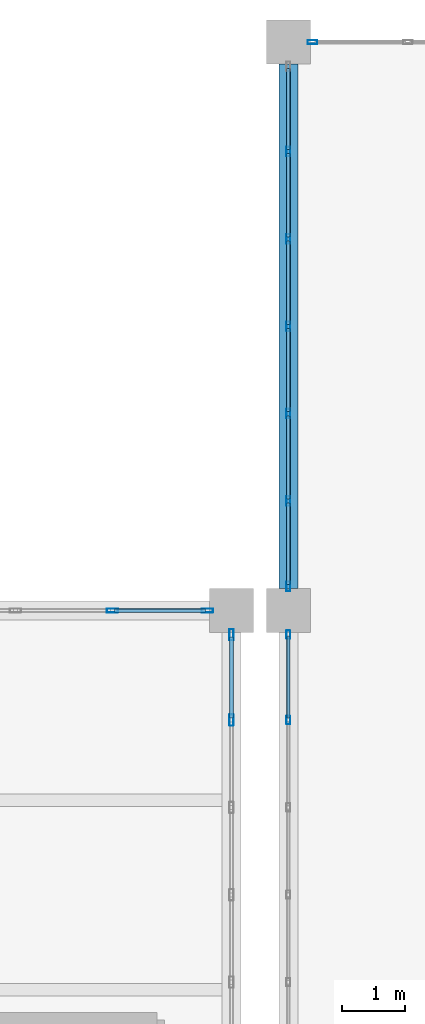
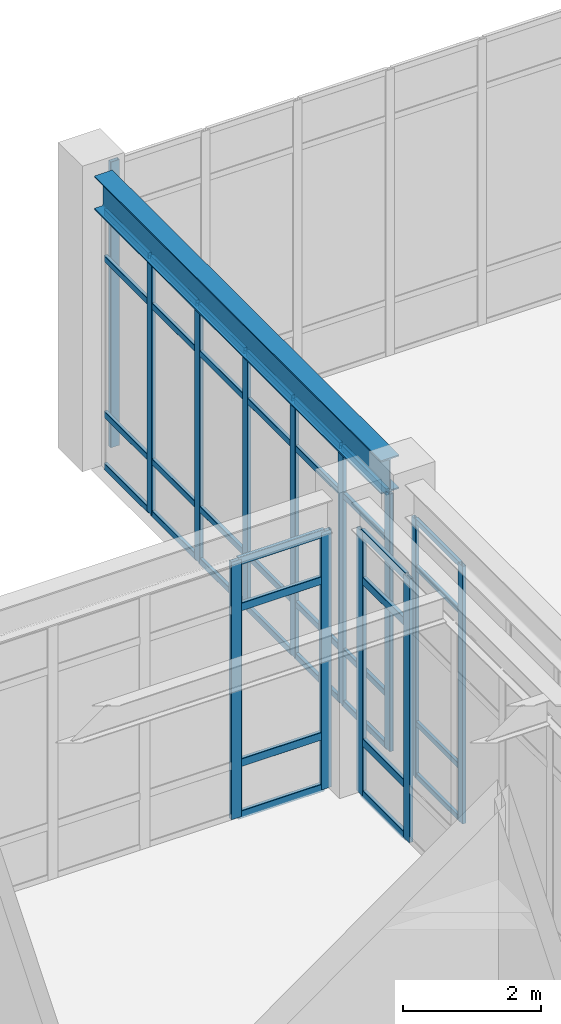
# One storey, part 45 of 80: 49 members, 1 beam, 5 elements without a shape of their own.
"""IFC4 building model written with IfcOpenShell, lengths in metres."""

from ifc_helpers import new_model, si_unit, direction, frame, origin, origin_2d, place, context, subcontext, project, spatial, hollow_rectangle, i_section, extrude, material, material_profile, profile_set, type_object, element, aggregate, save


model = new_model("IFC4")

# Units and contexts
model_context = context("Model", 3, precision=1e-05, world=origin(), true_north=direction((0.0, 1.0)))
body_context = subcontext(model_context, "Body", "Model", "MODEL_VIEW")
ifc_project = project(units=[si_unit("LENGTHUNIT", "METRE"), si_unit("AREAUNIT", "SQUARE_METRE"), si_unit("VOLUMEUNIT", "CUBIC_METRE"), si_unit("PLANEANGLEUNIT", "RADIAN"), si_unit("MASSUNIT", "GRAM", prefix="KILO")], contexts=[model_context])

# Site, building, storey
site_placement = place(None, origin())
site = spatial("IfcSite", under=ifc_project, at=site_placement, CompositionType="ELEMENT")
building_placement = place(site_placement, origin())
building = spatial("IfcBuilding", under=site, at=building_placement, Name="Canglan Escarpment Cableway Terminal", CompositionType="ELEMENT")
storey_placement = place(building_placement, frame((0.0, 0.0, 19.199951171875)))
storey = spatial("IfcBuildingStorey", under=building, at=storey_placement, Name="L04", CompositionType="ELEMENT", Elevation=19.199951171875)

# Beam
ifc_material_1 = material(Name="Steel Q355C", Category="steel")
ifc_material_profile_1 = material_profile(ifc_material_1, i_section(OverallWidth=0.302001953125, OverallDepth=0.593994140625, WebThickness=0.013916015625, FlangeThickness=0.02294921875, FilletRadius=0.028076171875, at=origin_2d()), Name="HM 594x302x14x23")
ifc_profile_set_1 = profile_set([ifc_material_profile_1], Name="Steel Q355C")
beam_type = type_object("IfcBeamType", Name="BM-HM594", PredefinedType="BEAM", material=ifc_profile_set_1)
beam_placement = place(storey_placement, frame((137.60009765625, 115.35009765625, 4.863037109375), z_axis=(0.0, 1.0, 0.0), x_axis=(-1.0, 0.0, 0.0)))
element("IfcBeam", 1, at=beam_placement, inside=storey, type_object=beam_type, Name="Primary transverse girder B-07", PredefinedType="BEAM", context=body_context, shape_type="SweptSolid", body=[
    extrude(i_section(OverallWidth=0.302001953125, OverallDepth=0.593994140625, WebThickness=0.013916015625, FlangeThickness=0.02294921875, FilletRadius=0.028076171875, at=origin_2d()), origin(), (0.0, 0.0, 1.0), 8.2998046875),
])

# Curtain wall, members
ifc_material_2 = material(Name="Anodized bronze aluminium and Low-E double glazing", Category="aluminium")
curtain_wall_type_1 = type_object("IfcCurtainWallType", Name="CW-BAY-8300x4550", PredefinedType="NOTDEFINED", material=ifc_material_2)
curtain_wall_1_placement = place(storey_placement, origin())
curtain_wall_1 = element("IfcCurtainWall", 2, at=curtain_wall_1_placement, inside=storey, type_object=curtain_wall_type_1, Name="Classical bay-between-piers glazed curtain wall CW-64", PredefinedType="NOTDEFINED")
ifc_material_3 = material(Name="Thermally broken anodized aluminium 6063-T6", Category="aluminium")
ifc_material_profile_2 = material_profile(ifc_material_3, hollow_rectangle(XDim=0.06005859375, YDim=0.1298828125, WallThickness=0.0029296875, InnerFilletRadius=0.0029296875, OuterFilletRadius=0.006103515625, at=origin_2d()), Name="ALU-MULL 60x130x3")
ifc_profile_set_2 = profile_set([ifc_material_profile_2], Name="Thermally broken anodized aluminium 6063-T6")
member_type_1 = type_object("IfcMemberType", Name="CWM-01", PredefinedType="MULLION", material=ifc_profile_set_2)
member_1_placement = place(storey_placement, frame((137.60009765625, 114.6201171875, 0.0), z_axis=(0.0, 0.0, 1.0), x_axis=(1.0, 0.0, 0.0)))
member_1 = element("IfcMember", 3, at=member_1_placement, type_object=member_type_1, Name="CW-64 mullion 1", PredefinedType="MULLION", context=body_context, shape_type="SweptSolid", body=[
    extrude(hollow_rectangle(XDim=0.06005859375, YDim=0.1298828125, WallThickness=0.0029296875, InnerFilletRadius=0.0029296875, OuterFilletRadius=0.006103515625, at=origin_2d()), origin(), (0.0, 0.0, 1.0), 4.551025390625),
])
member_2_placement = place(storey_placement, frame((137.60009765625, 113.2666015625, 0.0), z_axis=(0.0, 0.0, 1.0), x_axis=(1.0, 0.0, 0.0)))
member_2 = element("IfcMember", 4, at=member_2_placement, type_object=member_type_1, Name="CW-64 mullion 2", PredefinedType="MULLION", context=body_context, shape_type="SweptSolid", body=[
    extrude(hollow_rectangle(XDim=0.06005859375, YDim=0.1298828125, WallThickness=0.0029296875, InnerFilletRadius=0.0029296875, OuterFilletRadius=0.006103515625, at=origin_2d()), origin(), (0.0, 0.0, 1.0), 4.551025390625),
])

# Curtain wall, member
curtain_wall_type_2 = type_object("IfcCurtainWallType", Name="CW-BAY-9250x5050", PredefinedType="NOTDEFINED", material=ifc_material_2)
curtain_wall_2_placement = place(storey_placement, origin())
curtain_wall_2 = element("IfcCurtainWall", 5, at=curtain_wall_2_placement, inside=storey, type_object=curtain_wall_type_2, Name="Classical bay-between-piers glazed curtain wall CW-40", PredefinedType="NOTDEFINED")
ifc_material_profile_3 = material_profile(ifc_material_3, hollow_rectangle(XDim=0.06494140625, YDim=0.14990234375, WallThickness=0.00341796875, InnerFilletRadius=0.00341796875, OuterFilletRadius=0.007080078125, at=origin_2d()), Name="ALU-MULL 65x150x3.5")
ifc_profile_set_3 = profile_set([ifc_material_profile_3], Name="Thermally broken anodized aluminium 6063-T6")
member_type_2 = type_object("IfcMemberType", Name="CWM-02", PredefinedType="MULLION", material=ifc_profile_set_3)
member_3_placement = place(storey_placement, frame((137.982421875, 124.0, 0.0), z_axis=(0.0, 0.0, 1.0), x_axis=(0.0, -1.0, 0.0)))
member_3 = element("IfcMember", 6, at=member_3_placement, type_object=member_type_2, Name="CW-40 mullion 7", PredefinedType="MULLION", context=body_context, shape_type="SweptSolid", body=[
    extrude(hollow_rectangle(XDim=0.06494140625, YDim=0.14990234375, WallThickness=0.00341796875, InnerFilletRadius=0.00341796875, OuterFilletRadius=0.007080078125, at=origin_2d()), origin(), (0.0, 0.0, 1.0), 5.050048828125),
])
aggregate(curtain_wall_2, [member_3])

# Curtain wall, members
curtain_wall_3_placement = place(storey_placement, origin())
curtain_wall_3 = element("IfcCurtainWall", 7, at=curtain_wall_3_placement, inside=storey, type_object=curtain_wall_type_1, Name="Classical bay-between-piers glazed curtain wall CW-64", PredefinedType="NOTDEFINED")
member_4_placement = place(storey_placement, frame((137.60009765625, 122.2666015625, 0.0), z_axis=(0.0, 0.0, 1.0), x_axis=(1.0, 0.0, 0.0)))
member_4 = element("IfcMember", 8, at=member_4_placement, type_object=member_type_2, Name="CW-64 mullion 2", PredefinedType="MULLION", context=body_context, shape_type="SweptSolid", body=[
    extrude(hollow_rectangle(XDim=0.06494140625, YDim=0.14990234375, WallThickness=0.00341796875, InnerFilletRadius=0.00341796875, OuterFilletRadius=0.007080078125, at=origin_2d()), origin(), (0.0, 0.0, 1.0), 4.551025390625),
])
member_5_placement = place(storey_placement, frame((137.60009765625, 120.88330078125, 0.0), z_axis=(0.0, 0.0, 1.0), x_axis=(1.0, 0.0, 0.0)))
member_5 = element("IfcMember", 9, at=member_5_placement, type_object=member_type_2, Name="CW-64 mullion 3", PredefinedType="MULLION", context=body_context, shape_type="SweptSolid", body=[
    extrude(hollow_rectangle(XDim=0.06494140625, YDim=0.14990234375, WallThickness=0.00341796875, InnerFilletRadius=0.00341796875, OuterFilletRadius=0.007080078125, at=origin_2d()), origin(), (0.0, 0.0, 1.0), 4.551025390625),
])
member_6_placement = place(storey_placement, frame((137.60009765625, 119.5, 0.0), z_axis=(0.0, 0.0, 1.0), x_axis=(1.0, 0.0, 0.0)))
member_6 = element("IfcMember", 10, at=member_6_placement, type_object=member_type_2, Name="CW-64 mullion 4", PredefinedType="MULLION", context=body_context, shape_type="SweptSolid", body=[
    extrude(hollow_rectangle(XDim=0.06494140625, YDim=0.14990234375, WallThickness=0.00341796875, InnerFilletRadius=0.00341796875, OuterFilletRadius=0.007080078125, at=origin_2d()), origin(), (0.0, 0.0, 1.0), 4.551025390625),
])
member_7_placement = place(storey_placement, frame((137.60009765625, 118.11669921875, 0.0), z_axis=(0.0, 0.0, 1.0), x_axis=(1.0, 0.0, 0.0)))
member_7 = element("IfcMember", 11, at=member_7_placement, type_object=member_type_2, Name="CW-64 mullion 5", PredefinedType="MULLION", context=body_context, shape_type="SweptSolid", body=[
    extrude(hollow_rectangle(XDim=0.06494140625, YDim=0.14990234375, WallThickness=0.00341796875, InnerFilletRadius=0.00341796875, OuterFilletRadius=0.007080078125, at=origin_2d()), origin(), (0.0, 0.0, 1.0), 4.551025390625),
])
member_8_placement = place(storey_placement, frame((137.60009765625, 116.7333984375, 0.0), z_axis=(0.0, 0.0, 1.0), x_axis=(1.0, 0.0, 0.0)))
member_8 = element("IfcMember", 12, at=member_8_placement, type_object=member_type_2, Name="CW-64 mullion 6", PredefinedType="MULLION", context=body_context, shape_type="SweptSolid", body=[
    extrude(hollow_rectangle(XDim=0.06494140625, YDim=0.14990234375, WallThickness=0.00341796875, InnerFilletRadius=0.00341796875, OuterFilletRadius=0.007080078125, at=origin_2d()), origin(), (0.0, 0.0, 1.0), 4.551025390625),
])
member_9_placement = place(storey_placement, frame((137.60009765625, 115.382568359375, 0.0), z_axis=(0.0, 0.0, 1.0), x_axis=(1.0, 0.0, 0.0)))
member_9 = element("IfcMember", 13, at=member_9_placement, type_object=member_type_2, Name="CW-64 mullion 7", PredefinedType="MULLION", context=body_context, shape_type="SweptSolid", body=[
    extrude(hollow_rectangle(XDim=0.06494140625, YDim=0.14990234375, WallThickness=0.00341796875, InnerFilletRadius=0.00341796875, OuterFilletRadius=0.007080078125, at=origin_2d()), origin(), (0.0, 0.0, 1.0), 4.551025390625),
])

curtain_wall_type_3 = type_object("IfcCurtainWallType", Name="CW-BAY-8300x4650", PredefinedType="NOTDEFINED", material=ifc_material_2)
curtain_wall_4_placement = place(storey_placement, origin())
curtain_wall_4 = element("IfcCurtainWall", 14, at=curtain_wall_4_placement, inside=storey, type_object=curtain_wall_type_3, Name="Classical bay-between-piers glazed curtain wall CW-51", PredefinedType="NOTDEFINED")
ifc_material_profile_4 = material_profile(ifc_material_3, hollow_rectangle(XDim=0.06494140625, YDim=0.179931640625, WallThickness=0.00390625, InnerFilletRadius=0.00390625, OuterFilletRadius=0.008056640625, at=origin_2d()), Name="ALU-MULL 65x180x4")
ifc_profile_set_4 = profile_set([ifc_material_profile_4], Name="Thermally broken anodized aluminium 6063-T6")
member_type_3 = type_object("IfcMemberType", Name="CWM-03", PredefinedType="MULLION", material=ifc_profile_set_4)
member_10_placement = place(storey_placement, frame((136.699951171875, 113.2666015625, 0.0), z_axis=(0.0, 0.0, 1.0), x_axis=(-1.0, 0.0, 0.0)))
member_10 = element("IfcMember", 15, at=member_10_placement, type_object=member_type_3, Name="CW-51 mullion 6", PredefinedType="MULLION", context=body_context, shape_type="SweptSolid", body=[
    extrude(hollow_rectangle(XDim=0.06494140625, YDim=0.179931640625, WallThickness=0.00390625, InnerFilletRadius=0.00390625, OuterFilletRadius=0.008056640625, at=origin_2d()), origin(), (0.0, 0.0, 1.0), 4.656982421875),
])
member_11_placement = place(storey_placement, frame((136.699951171875, 114.617431640625, 0.0), z_axis=(0.0, 0.0, 1.0), x_axis=(-1.0, 0.0, 0.0)))
member_11 = element("IfcMember", 16, at=member_11_placement, type_object=member_type_3, Name="CW-51 mullion 7", PredefinedType="MULLION", context=body_context, shape_type="SweptSolid", body=[
    extrude(hollow_rectangle(XDim=0.06494140625, YDim=0.179931640625, WallThickness=0.00390625, InnerFilletRadius=0.00390625, OuterFilletRadius=0.008056640625, at=origin_2d()), origin(), (0.0, 0.0, 1.0), 4.656982421875),
])

curtain_wall_type_4 = type_object("IfcCurtainWallType", Name="CW-BAY-7675x4550", PredefinedType="NOTDEFINED", material=ifc_material_2)
curtain_wall_5_placement = place(storey_placement, origin())
curtain_wall_5 = element("IfcCurtainWall", 17, at=curtain_wall_5_placement, inside=storey, type_object=curtain_wall_type_4, Name="Classical bay-between-piers glazed curtain wall CW-54", PredefinedType="NOTDEFINED")
member_12_placement = place(storey_placement, frame((136.3173828125, 115.0, 0.0), z_axis=(0.0, 0.0, 1.0), x_axis=(0.0, -1.0, 0.0)))
member_12 = element("IfcMember", 18, at=member_12_placement, type_object=member_type_3, Name="CW-54 mullion 1", PredefinedType="MULLION", context=body_context, shape_type="SweptSolid", body=[
    extrude(hollow_rectangle(XDim=0.06494140625, YDim=0.179931640625, WallThickness=0.00390625, InnerFilletRadius=0.00390625, OuterFilletRadius=0.008056640625, at=origin_2d()), origin(), (0.0, 0.0, 1.0), 4.551025390625),
])
member_13_placement = place(storey_placement, frame((134.81494140625, 115.0, 0.0), z_axis=(0.0, 0.0, 1.0), x_axis=(0.0, -1.0, 0.0)))
member_13 = element("IfcMember", 19, at=member_13_placement, type_object=member_type_3, Name="CW-54 mullion 2", PredefinedType="MULLION", context=body_context, shape_type="SweptSolid", body=[
    extrude(hollow_rectangle(XDim=0.06494140625, YDim=0.179931640625, WallThickness=0.00390625, InnerFilletRadius=0.00390625, OuterFilletRadius=0.008056640625, at=origin_2d()), origin(), (0.0, 0.0, 1.0), 4.551025390625),
])

# Member
ifc_material_profile_5 = material_profile(ifc_material_3, hollow_rectangle(XDim=0.054931640625, YDim=0.094970703125, WallThickness=0.0029296875, InnerFilletRadius=0.0029296875, OuterFilletRadius=0.006103515625, at=origin_2d()), Name="ALU-TRAN 55x95x3")
ifc_profile_set_5 = profile_set([ifc_material_profile_5], Name="Thermally broken anodized aluminium 6063-T6")
member_type_4 = type_object("IfcMemberType", Name="CWT-01", PredefinedType="USERDEFINED", material=ifc_profile_set_5)
member_14_placement = place(storey_placement, frame((137.60009765625, 114.590087890625, 0.027587890625), z_axis=(0.0, -1.0, 0.0), x_axis=(1.0, 0.0, 0.0)))
member_14 = element("IfcMember", 20, at=member_14_placement, type_object=member_type_4, Name="CW-64 transom 1.1", ObjectType="TRANSOM", PredefinedType="USERDEFINED", context=body_context, shape_type="SweptSolid", body=[
    extrude(hollow_rectangle(XDim=0.054931640625, YDim=0.094970703125, WallThickness=0.0029296875, InnerFilletRadius=0.0029296875, OuterFilletRadius=0.006103515625, at=origin_2d()), origin(), (0.0, 0.0, 1.0), 1.29345703125),
])

member_15_placement = place(storey_placement, frame((137.60009765625, 114.590087890625, 0.949951171875), z_axis=(0.0, -1.0, 0.0), x_axis=(1.0, 0.0, 0.0)))
member_15 = element("IfcMember", 21, at=member_15_placement, type_object=member_type_4, Name="CW-64 transom 1.2", ObjectType="TRANSOM", PredefinedType="USERDEFINED", context=body_context, shape_type="SweptSolid", body=[
    extrude(hollow_rectangle(XDim=0.054931640625, YDim=0.094970703125, WallThickness=0.0029296875, InnerFilletRadius=0.0029296875, OuterFilletRadius=0.006103515625, at=origin_2d()), origin(), (0.0, 0.0, 1.0), 1.29345703125),
])

member_16_placement = place(storey_placement, frame((137.60009765625, 114.590087890625, 3.700927734375), z_axis=(0.0, -1.0, 0.0), x_axis=(1.0, 0.0, 0.0)))
member_16 = element("IfcMember", 22, at=member_16_placement, type_object=member_type_4, Name="CW-64 transom 1.3", ObjectType="TRANSOM", PredefinedType="USERDEFINED", context=body_context, shape_type="SweptSolid", body=[
    extrude(hollow_rectangle(XDim=0.054931640625, YDim=0.094970703125, WallThickness=0.0029296875, InnerFilletRadius=0.0029296875, OuterFilletRadius=0.006103515625, at=origin_2d()), origin(), (0.0, 0.0, 1.0), 1.29345703125),
])

member_17_placement = place(storey_placement, frame((137.60009765625, 114.590087890625, 4.5234375), z_axis=(0.0, -1.0, 0.0), x_axis=(1.0, 0.0, 0.0)))
member_17 = element("IfcMember", 23, at=member_17_placement, type_object=member_type_4, Name="CW-64 transom 1.4", ObjectType="TRANSOM", PredefinedType="USERDEFINED", context=body_context, shape_type="SweptSolid", body=[
    extrude(hollow_rectangle(XDim=0.054931640625, YDim=0.094970703125, WallThickness=0.0029296875, InnerFilletRadius=0.0029296875, OuterFilletRadius=0.006103515625, at=origin_2d()), origin(), (0.0, 0.0, 1.0), 1.29345703125),
])

aggregate(curtain_wall_1, [member_1, member_2, member_14, member_15, member_16, member_17])

ifc_material_profile_6 = material_profile(ifc_material_3, hollow_rectangle(XDim=0.06005859375, YDim=0.110107421875, WallThickness=0.0029296875, InnerFilletRadius=0.0029296875, OuterFilletRadius=0.006103515625, at=origin_2d()), Name="ALU-TRAN 60x110x3")
ifc_profile_set_6 = profile_set([ifc_material_profile_6], Name="Thermally broken anodized aluminium 6063-T6")
member_type_5 = type_object("IfcMemberType", Name="CWT-02", PredefinedType="USERDEFINED", material=ifc_profile_set_6)
member_18_placement = place(storey_placement, frame((137.60009765625, 123.5849609375, 0.030029296875), z_axis=(0.0, -1.0, 0.0), x_axis=(1.0, 0.0, 0.0)))
member_18 = element("IfcMember", 24, at=member_18_placement, type_object=member_type_5, Name="CW-64 transom 1.1", ObjectType="TRANSOM", PredefinedType="USERDEFINED", context=body_context, shape_type="SweptSolid", body=[
    extrude(hollow_rectangle(XDim=0.06005859375, YDim=0.110107421875, WallThickness=0.0029296875, InnerFilletRadius=0.0029296875, OuterFilletRadius=0.006103515625, at=origin_2d()), origin(), (0.0, 0.0, 1.0), 1.285888671875),
])

member_19_placement = place(storey_placement, frame((137.60009765625, 123.5849609375, 0.949951171875), z_axis=(0.0, -1.0, 0.0), x_axis=(1.0, 0.0, 0.0)))
member_19 = element("IfcMember", 25, at=member_19_placement, type_object=member_type_5, Name="CW-64 transom 1.2", ObjectType="TRANSOM", PredefinedType="USERDEFINED", context=body_context, shape_type="SweptSolid", body=[
    extrude(hollow_rectangle(XDim=0.06005859375, YDim=0.110107421875, WallThickness=0.0029296875, InnerFilletRadius=0.0029296875, OuterFilletRadius=0.006103515625, at=origin_2d()), origin(), (0.0, 0.0, 1.0), 1.285888671875),
])

member_20_placement = place(storey_placement, frame((137.60009765625, 123.5849609375, 3.700927734375), z_axis=(0.0, -1.0, 0.0), x_axis=(1.0, 0.0, 0.0)))
member_20 = element("IfcMember", 26, at=member_20_placement, type_object=member_type_5, Name="CW-64 transom 1.3", ObjectType="TRANSOM", PredefinedType="USERDEFINED", context=body_context, shape_type="SweptSolid", body=[
    extrude(hollow_rectangle(XDim=0.06005859375, YDim=0.110107421875, WallThickness=0.0029296875, InnerFilletRadius=0.0029296875, OuterFilletRadius=0.006103515625, at=origin_2d()), origin(), (0.0, 0.0, 1.0), 1.285888671875),
])

member_21_placement = place(storey_placement, frame((137.60009765625, 123.5849609375, 4.52099609375), z_axis=(0.0, -1.0, 0.0), x_axis=(1.0, 0.0, 0.0)))
member_21 = element("IfcMember", 27, at=member_21_placement, type_object=member_type_5, Name="CW-64 transom 1.4", ObjectType="TRANSOM", PredefinedType="USERDEFINED", context=body_context, shape_type="SweptSolid", body=[
    extrude(hollow_rectangle(XDim=0.06005859375, YDim=0.110107421875, WallThickness=0.0029296875, InnerFilletRadius=0.0029296875, OuterFilletRadius=0.006103515625, at=origin_2d()), origin(), (0.0, 0.0, 1.0), 1.285888671875),
])

member_22_placement = place(storey_placement, frame((137.60009765625, 122.234130859375, 0.030029296875), z_axis=(0.0, -1.0, 0.0), x_axis=(1.0, 0.0, 0.0)))
member_22 = element("IfcMember", 28, at=member_22_placement, type_object=member_type_5, Name="CW-64 transom 2.1", ObjectType="TRANSOM", PredefinedType="USERDEFINED", context=body_context, shape_type="SweptSolid", body=[
    extrude(hollow_rectangle(XDim=0.06005859375, YDim=0.110107421875, WallThickness=0.0029296875, InnerFilletRadius=0.0029296875, OuterFilletRadius=0.006103515625, at=origin_2d()), origin(), (0.0, 0.0, 1.0), 1.318359375),
])

member_23_placement = place(storey_placement, frame((137.60009765625, 122.234130859375, 0.949951171875), z_axis=(0.0, -1.0, 0.0), x_axis=(1.0, 0.0, 0.0)))
member_23 = element("IfcMember", 29, at=member_23_placement, type_object=member_type_5, Name="CW-64 transom 2.2", ObjectType="TRANSOM", PredefinedType="USERDEFINED", context=body_context, shape_type="SweptSolid", body=[
    extrude(hollow_rectangle(XDim=0.06005859375, YDim=0.110107421875, WallThickness=0.0029296875, InnerFilletRadius=0.0029296875, OuterFilletRadius=0.006103515625, at=origin_2d()), origin(), (0.0, 0.0, 1.0), 1.318359375),
])

member_24_placement = place(storey_placement, frame((137.60009765625, 122.234130859375, 3.700927734375), z_axis=(0.0, -1.0, 0.0), x_axis=(1.0, 0.0, 0.0)))
member_24 = element("IfcMember", 30, at=member_24_placement, type_object=member_type_5, Name="CW-64 transom 2.3", ObjectType="TRANSOM", PredefinedType="USERDEFINED", context=body_context, shape_type="SweptSolid", body=[
    extrude(hollow_rectangle(XDim=0.06005859375, YDim=0.110107421875, WallThickness=0.0029296875, InnerFilletRadius=0.0029296875, OuterFilletRadius=0.006103515625, at=origin_2d()), origin(), (0.0, 0.0, 1.0), 1.318359375),
])

member_25_placement = place(storey_placement, frame((137.60009765625, 122.234130859375, 4.52099609375), z_axis=(0.0, -1.0, 0.0), x_axis=(1.0, 0.0, 0.0)))
member_25 = element("IfcMember", 31, at=member_25_placement, type_object=member_type_5, Name="CW-64 transom 2.4", ObjectType="TRANSOM", PredefinedType="USERDEFINED", context=body_context, shape_type="SweptSolid", body=[
    extrude(hollow_rectangle(XDim=0.06005859375, YDim=0.110107421875, WallThickness=0.0029296875, InnerFilletRadius=0.0029296875, OuterFilletRadius=0.006103515625, at=origin_2d()), origin(), (0.0, 0.0, 1.0), 1.318359375),
])

member_26_placement = place(storey_placement, frame((137.60009765625, 120.850830078125, 0.030029296875), z_axis=(0.0, -1.0, 0.0), x_axis=(1.0, 0.0, 0.0)))
member_26 = element("IfcMember", 32, at=member_26_placement, type_object=member_type_5, Name="CW-64 transom 3.1", ObjectType="TRANSOM", PredefinedType="USERDEFINED", context=body_context, shape_type="SweptSolid", body=[
    extrude(hollow_rectangle(XDim=0.06005859375, YDim=0.110107421875, WallThickness=0.0029296875, InnerFilletRadius=0.0029296875, OuterFilletRadius=0.006103515625, at=origin_2d()), origin(), (0.0, 0.0, 1.0), 1.318359375),
])

member_27_placement = place(storey_placement, frame((137.60009765625, 120.850830078125, 0.949951171875), z_axis=(0.0, -1.0, 0.0), x_axis=(1.0, 0.0, 0.0)))
member_27 = element("IfcMember", 33, at=member_27_placement, type_object=member_type_5, Name="CW-64 transom 3.2", ObjectType="TRANSOM", PredefinedType="USERDEFINED", context=body_context, shape_type="SweptSolid", body=[
    extrude(hollow_rectangle(XDim=0.06005859375, YDim=0.110107421875, WallThickness=0.0029296875, InnerFilletRadius=0.0029296875, OuterFilletRadius=0.006103515625, at=origin_2d()), origin(), (0.0, 0.0, 1.0), 1.318359375),
])

member_28_placement = place(storey_placement, frame((137.60009765625, 120.850830078125, 3.700927734375), z_axis=(0.0, -1.0, 0.0), x_axis=(1.0, 0.0, 0.0)))
member_28 = element("IfcMember", 34, at=member_28_placement, type_object=member_type_5, Name="CW-64 transom 3.3", ObjectType="TRANSOM", PredefinedType="USERDEFINED", context=body_context, shape_type="SweptSolid", body=[
    extrude(hollow_rectangle(XDim=0.06005859375, YDim=0.110107421875, WallThickness=0.0029296875, InnerFilletRadius=0.0029296875, OuterFilletRadius=0.006103515625, at=origin_2d()), origin(), (0.0, 0.0, 1.0), 1.318359375),
])

member_29_placement = place(storey_placement, frame((137.60009765625, 120.850830078125, 4.52099609375), z_axis=(0.0, -1.0, 0.0), x_axis=(1.0, 0.0, 0.0)))
member_29 = element("IfcMember", 35, at=member_29_placement, type_object=member_type_5, Name="CW-64 transom 3.4", ObjectType="TRANSOM", PredefinedType="USERDEFINED", context=body_context, shape_type="SweptSolid", body=[
    extrude(hollow_rectangle(XDim=0.06005859375, YDim=0.110107421875, WallThickness=0.0029296875, InnerFilletRadius=0.0029296875, OuterFilletRadius=0.006103515625, at=origin_2d()), origin(), (0.0, 0.0, 1.0), 1.318359375),
])

member_30_placement = place(storey_placement, frame((137.60009765625, 119.467529296875, 0.030029296875), z_axis=(0.0, -1.0, 0.0), x_axis=(1.0, 0.0, 0.0)))
member_30 = element("IfcMember", 36, at=member_30_placement, type_object=member_type_5, Name="CW-64 transom 4.1", ObjectType="TRANSOM", PredefinedType="USERDEFINED", context=body_context, shape_type="SweptSolid", body=[
    extrude(hollow_rectangle(XDim=0.06005859375, YDim=0.110107421875, WallThickness=0.0029296875, InnerFilletRadius=0.0029296875, OuterFilletRadius=0.006103515625, at=origin_2d()), origin(), (0.0, 0.0, 1.0), 1.318359375),
])

member_31_placement = place(storey_placement, frame((137.60009765625, 119.467529296875, 0.949951171875), z_axis=(0.0, -1.0, 0.0), x_axis=(1.0, 0.0, 0.0)))
member_31 = element("IfcMember", 37, at=member_31_placement, type_object=member_type_5, Name="CW-64 transom 4.2", ObjectType="TRANSOM", PredefinedType="USERDEFINED", context=body_context, shape_type="SweptSolid", body=[
    extrude(hollow_rectangle(XDim=0.06005859375, YDim=0.110107421875, WallThickness=0.0029296875, InnerFilletRadius=0.0029296875, OuterFilletRadius=0.006103515625, at=origin_2d()), origin(), (0.0, 0.0, 1.0), 1.318359375),
])

member_32_placement = place(storey_placement, frame((137.60009765625, 119.467529296875, 3.700927734375), z_axis=(0.0, -1.0, 0.0), x_axis=(1.0, 0.0, 0.0)))
member_32 = element("IfcMember", 38, at=member_32_placement, type_object=member_type_5, Name="CW-64 transom 4.3", ObjectType="TRANSOM", PredefinedType="USERDEFINED", context=body_context, shape_type="SweptSolid", body=[
    extrude(hollow_rectangle(XDim=0.06005859375, YDim=0.110107421875, WallThickness=0.0029296875, InnerFilletRadius=0.0029296875, OuterFilletRadius=0.006103515625, at=origin_2d()), origin(), (0.0, 0.0, 1.0), 1.318359375),
])

member_33_placement = place(storey_placement, frame((137.60009765625, 119.467529296875, 4.52099609375), z_axis=(0.0, -1.0, 0.0), x_axis=(1.0, 0.0, 0.0)))
member_33 = element("IfcMember", 39, at=member_33_placement, type_object=member_type_5, Name="CW-64 transom 4.4", ObjectType="TRANSOM", PredefinedType="USERDEFINED", context=body_context, shape_type="SweptSolid", body=[
    extrude(hollow_rectangle(XDim=0.06005859375, YDim=0.110107421875, WallThickness=0.0029296875, InnerFilletRadius=0.0029296875, OuterFilletRadius=0.006103515625, at=origin_2d()), origin(), (0.0, 0.0, 1.0), 1.318359375),
])

member_34_placement = place(storey_placement, frame((137.60009765625, 118.084228515625, 0.030029296875), z_axis=(0.0, -1.0, 0.0), x_axis=(1.0, 0.0, 0.0)))
member_34 = element("IfcMember", 40, at=member_34_placement, type_object=member_type_5, Name="CW-64 transom 5.1", ObjectType="TRANSOM", PredefinedType="USERDEFINED", context=body_context, shape_type="SweptSolid", body=[
    extrude(hollow_rectangle(XDim=0.06005859375, YDim=0.110107421875, WallThickness=0.0029296875, InnerFilletRadius=0.0029296875, OuterFilletRadius=0.006103515625, at=origin_2d()), origin(), (0.0, 0.0, 1.0), 1.318359375),
])

member_35_placement = place(storey_placement, frame((137.60009765625, 118.084228515625, 0.949951171875), z_axis=(0.0, -1.0, 0.0), x_axis=(1.0, 0.0, 0.0)))
member_35 = element("IfcMember", 41, at=member_35_placement, type_object=member_type_5, Name="CW-64 transom 5.2", ObjectType="TRANSOM", PredefinedType="USERDEFINED", context=body_context, shape_type="SweptSolid", body=[
    extrude(hollow_rectangle(XDim=0.06005859375, YDim=0.110107421875, WallThickness=0.0029296875, InnerFilletRadius=0.0029296875, OuterFilletRadius=0.006103515625, at=origin_2d()), origin(), (0.0, 0.0, 1.0), 1.318359375),
])

member_36_placement = place(storey_placement, frame((137.60009765625, 118.084228515625, 3.700927734375), z_axis=(0.0, -1.0, 0.0), x_axis=(1.0, 0.0, 0.0)))
member_36 = element("IfcMember", 42, at=member_36_placement, type_object=member_type_5, Name="CW-64 transom 5.3", ObjectType="TRANSOM", PredefinedType="USERDEFINED", context=body_context, shape_type="SweptSolid", body=[
    extrude(hollow_rectangle(XDim=0.06005859375, YDim=0.110107421875, WallThickness=0.0029296875, InnerFilletRadius=0.0029296875, OuterFilletRadius=0.006103515625, at=origin_2d()), origin(), (0.0, 0.0, 1.0), 1.318359375),
])

member_37_placement = place(storey_placement, frame((137.60009765625, 118.084228515625, 4.52099609375), z_axis=(0.0, -1.0, 0.0), x_axis=(1.0, 0.0, 0.0)))
member_37 = element("IfcMember", 43, at=member_37_placement, type_object=member_type_5, Name="CW-64 transom 5.4", ObjectType="TRANSOM", PredefinedType="USERDEFINED", context=body_context, shape_type="SweptSolid", body=[
    extrude(hollow_rectangle(XDim=0.06005859375, YDim=0.110107421875, WallThickness=0.0029296875, InnerFilletRadius=0.0029296875, OuterFilletRadius=0.006103515625, at=origin_2d()), origin(), (0.0, 0.0, 1.0), 1.318359375),
])

member_38_placement = place(storey_placement, frame((137.60009765625, 116.700927734375, 0.030029296875), z_axis=(0.0, -1.0, 0.0), x_axis=(1.0, 0.0, 0.0)))
member_38 = element("IfcMember", 44, at=member_38_placement, type_object=member_type_5, Name="CW-64 transom 6.1", ObjectType="TRANSOM", PredefinedType="USERDEFINED", context=body_context, shape_type="SweptSolid", body=[
    extrude(hollow_rectangle(XDim=0.06005859375, YDim=0.110107421875, WallThickness=0.0029296875, InnerFilletRadius=0.0029296875, OuterFilletRadius=0.006103515625, at=origin_2d()), origin(), (0.0, 0.0, 1.0), 1.285888671875),
])

member_39_placement = place(storey_placement, frame((137.60009765625, 116.700927734375, 0.949951171875), z_axis=(0.0, -1.0, 0.0), x_axis=(1.0, 0.0, 0.0)))
member_39 = element("IfcMember", 45, at=member_39_placement, type_object=member_type_5, Name="CW-64 transom 6.2", ObjectType="TRANSOM", PredefinedType="USERDEFINED", context=body_context, shape_type="SweptSolid", body=[
    extrude(hollow_rectangle(XDim=0.06005859375, YDim=0.110107421875, WallThickness=0.0029296875, InnerFilletRadius=0.0029296875, OuterFilletRadius=0.006103515625, at=origin_2d()), origin(), (0.0, 0.0, 1.0), 1.285888671875),
])

member_40_placement = place(storey_placement, frame((137.60009765625, 116.700927734375, 3.700927734375), z_axis=(0.0, -1.0, 0.0), x_axis=(1.0, 0.0, 0.0)))
member_40 = element("IfcMember", 46, at=member_40_placement, type_object=member_type_5, Name="CW-64 transom 6.3", ObjectType="TRANSOM", PredefinedType="USERDEFINED", context=body_context, shape_type="SweptSolid", body=[
    extrude(hollow_rectangle(XDim=0.06005859375, YDim=0.110107421875, WallThickness=0.0029296875, InnerFilletRadius=0.0029296875, OuterFilletRadius=0.006103515625, at=origin_2d()), origin(), (0.0, 0.0, 1.0), 1.285888671875),
])

member_41_placement = place(storey_placement, frame((137.60009765625, 116.700927734375, 4.52099609375), z_axis=(0.0, -1.0, 0.0), x_axis=(1.0, 0.0, 0.0)))
member_41 = element("IfcMember", 47, at=member_41_placement, type_object=member_type_5, Name="CW-64 transom 6.4", ObjectType="TRANSOM", PredefinedType="USERDEFINED", context=body_context, shape_type="SweptSolid", body=[
    extrude(hollow_rectangle(XDim=0.06005859375, YDim=0.110107421875, WallThickness=0.0029296875, InnerFilletRadius=0.0029296875, OuterFilletRadius=0.006103515625, at=origin_2d()), origin(), (0.0, 0.0, 1.0), 1.285888671875),
])

aggregate(curtain_wall_3, [member_4, member_5, member_6, member_7, member_8, member_9, member_18, member_19, member_20, member_21, member_22, member_23, member_24, member_25, member_26, member_27, member_28, member_29, member_30, member_31, member_32, member_33, member_34, member_35, member_36, member_37, member_38, member_39, member_40, member_41])

ifc_material_profile_7 = material_profile(ifc_material_3, hollow_rectangle(XDim=0.06494140625, YDim=0.139892578125, WallThickness=0.00341796875, InnerFilletRadius=0.00341796875, OuterFilletRadius=0.007080078125, at=origin_2d()), Name="ALU-TRAN 65x140x3.5")
ifc_profile_set_7 = profile_set([ifc_material_profile_7], Name="Thermally broken anodized aluminium 6063-T6")
member_type_6 = type_object("IfcMemberType", Name="CWT-03", PredefinedType="USERDEFINED", material=ifc_profile_set_7)
member_42_placement = place(storey_placement, frame((136.699951171875, 113.299072265625, 0.032470703125), z_axis=(0.0, 1.0, 0.0), x_axis=(-1.0, 0.0, 0.0)))
member_42 = element("IfcMember", 48, at=member_42_placement, type_object=member_type_6, Name="CW-51 transom 6.1", ObjectType="TRANSOM", PredefinedType="USERDEFINED", context=body_context, shape_type="SweptSolid", body=[
    extrude(hollow_rectangle(XDim=0.06494140625, YDim=0.139892578125, WallThickness=0.00341796875, InnerFilletRadius=0.00341796875, OuterFilletRadius=0.007080078125, at=origin_2d()), origin(), (0.0, 0.0, 1.0), 1.285888671875),
])

member_43_placement = place(storey_placement, frame((136.699951171875, 113.299072265625, 0.949951171875), z_axis=(0.0, 1.0, 0.0), x_axis=(-1.0, 0.0, 0.0)))
member_43 = element("IfcMember", 49, at=member_43_placement, type_object=member_type_6, Name="CW-51 transom 6.2", ObjectType="TRANSOM", PredefinedType="USERDEFINED", context=body_context, shape_type="SweptSolid", body=[
    extrude(hollow_rectangle(XDim=0.06494140625, YDim=0.139892578125, WallThickness=0.00341796875, InnerFilletRadius=0.00341796875, OuterFilletRadius=0.007080078125, at=origin_2d()), origin(), (0.0, 0.0, 1.0), 1.285888671875),
])

member_44_placement = place(storey_placement, frame((136.699951171875, 113.299072265625, 3.80712890625), z_axis=(0.0, 1.0, 0.0), x_axis=(-1.0, 0.0, 0.0)))
member_44 = element("IfcMember", 50, at=member_44_placement, type_object=member_type_6, Name="CW-51 transom 6.3", ObjectType="TRANSOM", PredefinedType="USERDEFINED", context=body_context, shape_type="SweptSolid", body=[
    extrude(hollow_rectangle(XDim=0.06494140625, YDim=0.139892578125, WallThickness=0.00341796875, InnerFilletRadius=0.00341796875, OuterFilletRadius=0.007080078125, at=origin_2d()), origin(), (0.0, 0.0, 1.0), 1.285888671875),
])

member_45_placement = place(storey_placement, frame((136.699951171875, 113.299072265625, 4.62451171875), z_axis=(0.0, 1.0, 0.0), x_axis=(-1.0, 0.0, 0.0)))
member_45 = element("IfcMember", 51, at=member_45_placement, type_object=member_type_6, Name="CW-51 transom 6.4", ObjectType="TRANSOM", PredefinedType="USERDEFINED", context=body_context, shape_type="SweptSolid", body=[
    extrude(hollow_rectangle(XDim=0.06494140625, YDim=0.139892578125, WallThickness=0.00341796875, InnerFilletRadius=0.00341796875, OuterFilletRadius=0.007080078125, at=origin_2d()), origin(), (0.0, 0.0, 1.0), 1.285888671875),
])

aggregate(curtain_wall_4, [member_10, member_11, member_42, member_43, member_44, member_45])

member_46_placement = place(storey_placement, frame((136.284912109375, 115.0, 0.032470703125), z_axis=(-1.0, 0.0, 0.0), x_axis=(0.0, -1.0, 0.0)))
member_46 = element("IfcMember", 52, at=member_46_placement, type_object=member_type_6, Name="CW-54 transom 1.1", ObjectType="TRANSOM", PredefinedType="USERDEFINED", context=body_context, shape_type="SweptSolid", body=[
    extrude(hollow_rectangle(XDim=0.06494140625, YDim=0.139892578125, WallThickness=0.00341796875, InnerFilletRadius=0.00341796875, OuterFilletRadius=0.007080078125, at=origin_2d()), origin(), (0.0, 0.0, 1.0), 1.4375),
])

member_47_placement = place(storey_placement, frame((136.284912109375, 115.0, 0.949951171875), z_axis=(-1.0, 0.0, 0.0), x_axis=(0.0, -1.0, 0.0)))
member_47 = element("IfcMember", 53, at=member_47_placement, type_object=member_type_6, Name="CW-54 transom 1.2", ObjectType="TRANSOM", PredefinedType="USERDEFINED", context=body_context, shape_type="SweptSolid", body=[
    extrude(hollow_rectangle(XDim=0.06494140625, YDim=0.139892578125, WallThickness=0.00341796875, InnerFilletRadius=0.00341796875, OuterFilletRadius=0.007080078125, at=origin_2d()), origin(), (0.0, 0.0, 1.0), 1.4375),
])

member_48_placement = place(storey_placement, frame((136.284912109375, 115.0, 3.700927734375), z_axis=(-1.0, 0.0, 0.0), x_axis=(0.0, -1.0, 0.0)))
member_48 = element("IfcMember", 54, at=member_48_placement, type_object=member_type_6, Name="CW-54 transom 1.3", ObjectType="TRANSOM", PredefinedType="USERDEFINED", context=body_context, shape_type="SweptSolid", body=[
    extrude(hollow_rectangle(XDim=0.06494140625, YDim=0.139892578125, WallThickness=0.00341796875, InnerFilletRadius=0.00341796875, OuterFilletRadius=0.007080078125, at=origin_2d()), origin(), (0.0, 0.0, 1.0), 1.4375),
])

member_49_placement = place(storey_placement, frame((136.284912109375, 115.0, 4.5185546875), z_axis=(-1.0, 0.0, 0.0), x_axis=(0.0, -1.0, 0.0)))
member_49 = element("IfcMember", 55, at=member_49_placement, type_object=member_type_6, Name="CW-54 transom 1.4", ObjectType="TRANSOM", PredefinedType="USERDEFINED", context=body_context, shape_type="SweptSolid", body=[
    extrude(hollow_rectangle(XDim=0.06494140625, YDim=0.139892578125, WallThickness=0.00341796875, InnerFilletRadius=0.00341796875, OuterFilletRadius=0.007080078125, at=origin_2d()), origin(), (0.0, 0.0, 1.0), 1.4375),
])

aggregate(curtain_wall_5, [member_12, member_13, member_46, member_47, member_48, member_49])

save(model, "model.ifc")
